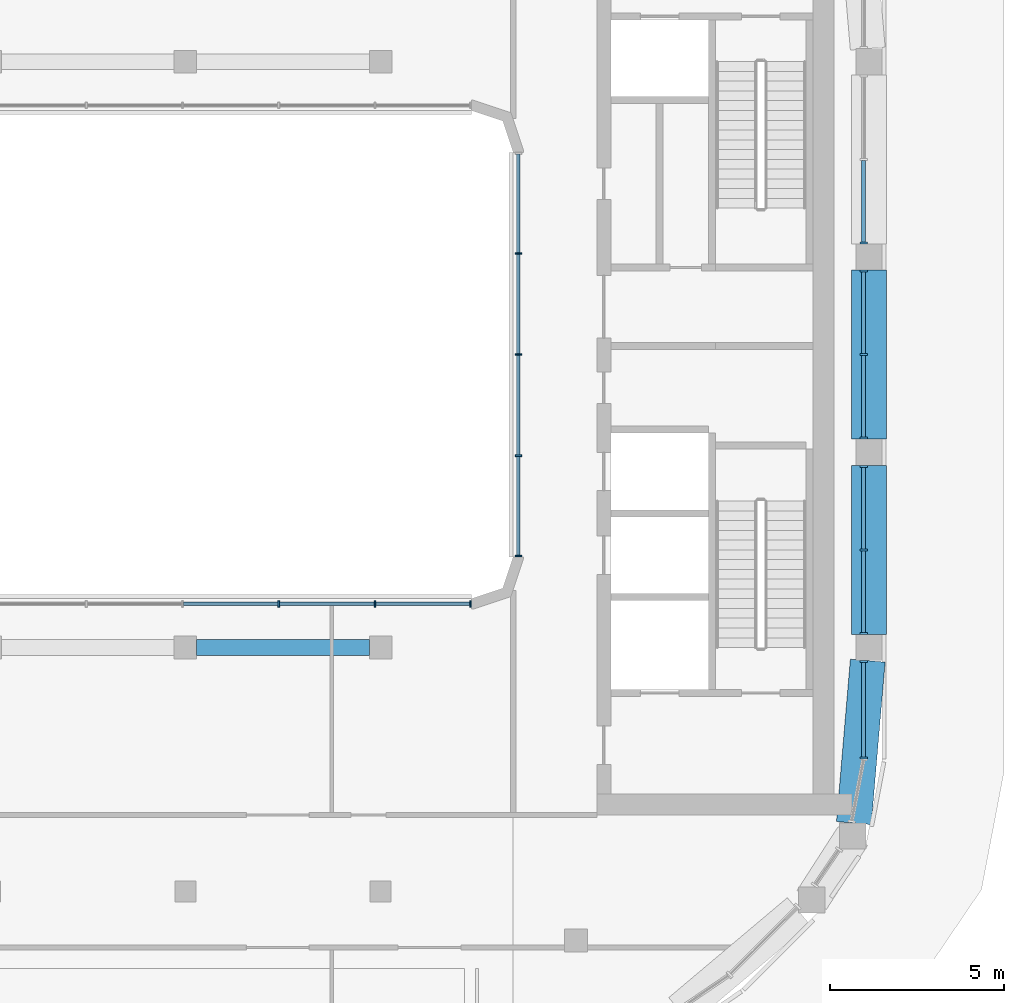
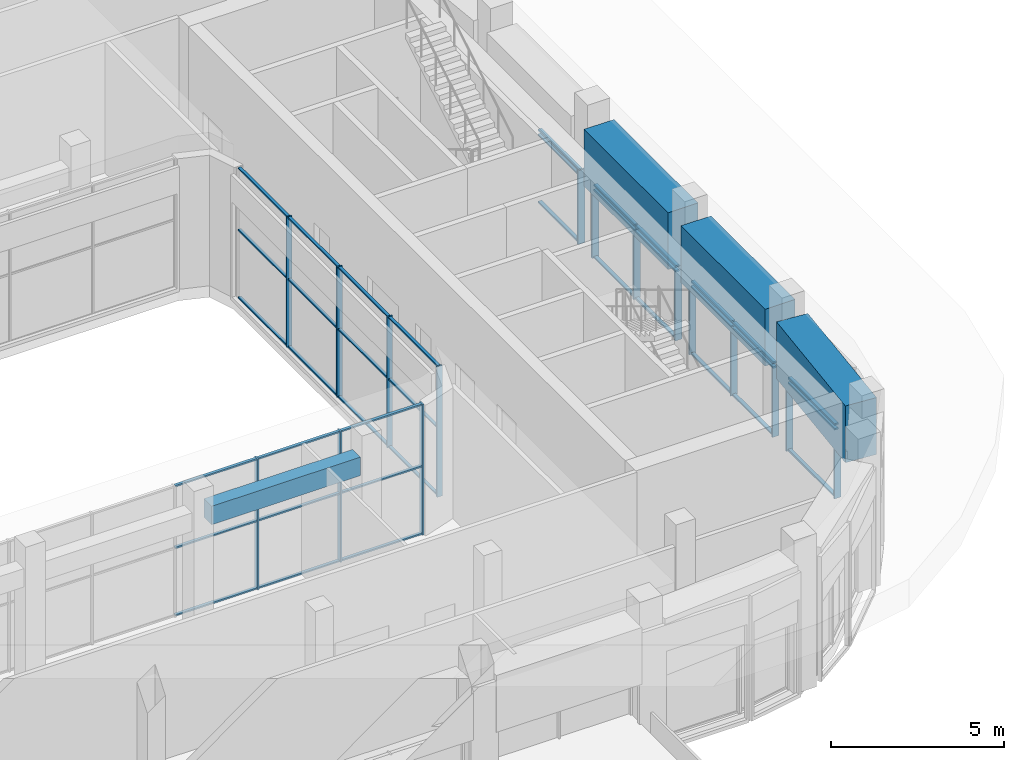
# One storey, part 6 of 23: 55 members, 4 beams, 6 elements without a shape of their own.
"""IFC4 building model written with IfcOpenShell, lengths in metres."""

from ifc_helpers import new_model, si_unit, direction, frame, origin, origin_2d, place, context, subcontext, project, spatial, rectangle, extrude, material, layer, layer_set, material_profile, profile_set, type_object, element, aggregate, save


model = new_model("IFC4")

# Units and contexts
model_context = context("Model", 3, precision=1e-05, world=origin(), true_north=direction((0.0, 1.0)))
body_context = subcontext(model_context, "Body", "Model", "MODEL_VIEW")
ifc_project = project(units=[si_unit("LENGTHUNIT", "METRE"), si_unit("AREAUNIT", "SQUARE_METRE"), si_unit("VOLUMEUNIT", "CUBIC_METRE"), si_unit("PLANEANGLEUNIT", "RADIAN"), si_unit("MASSUNIT", "GRAM", prefix="KILO")], contexts=[model_context])

# Site, building, storey
site_placement = place(None, origin())
site = spatial("IfcSite", under=ifc_project, at=site_placement, CompositionType="ELEMENT")
building_placement = place(site_placement, origin())
building = spatial("IfcBuilding", under=site, at=building_placement, Name="Kiln Ring Residences", CompositionType="ELEMENT")
storey_placement = place(building_placement, frame((0.0, 0.0, 294.5)))
storey = spatial("IfcBuildingStorey", under=building, at=storey_placement, Name="L76", CompositionType="ELEMENT", Elevation=294.5)

# Curtain wall, members
ifc_material_1 = material(Name="Aluminium and glass", Category="aluminium")
ifc_layer_1 = layer(ifc_material_1, 0.179931640625)
ifc_layer_set_1 = layer_set([ifc_layer_1], Name="CW3 CURTAIN WALL")
curtain_wall_type_1 = type_object("IfcCurtainWallType", Name="CW3 CURTAIN WALL", PredefinedType="NOTDEFINED", material=ifc_layer_set_1)
placement = place(storey_placement, origin())
curtain_wall_1 = element("IfcCurtainWall", 1, at=placement, inside=storey, type_object=curtain_wall_type_1, Name="Curtain wall CW3 L76", PredefinedType="NOTDEFINED")
ifc_material_2 = material(Name="Aluminium 6063-T6", Category="aluminium")
ifc_material_profile_1 = material_profile(ifc_material_2, rectangle(XDim=0.179931640625, YDim=0.050048828125, at=origin_2d()), Name="AL 180x50")
ifc_profile_set_1 = profile_set([ifc_material_profile_1], Name="Aluminium 6063-T6")
member_type_1 = type_object("IfcMemberType", Name="CW3 MULLION 180 x 50", PredefinedType="MULLION", material=ifc_profile_set_1)
member_1_placement = place(storey_placement, frame((15.14990234375, 2.89990234375, 0.0), z_axis=(0.0, 0.0, 1.0), x_axis=(1.0, 0.0, 0.0)))
member_1 = element("IfcMember", 2, at=member_1_placement, type_object=member_type_1, Name="CW3 mullion 2", PredefinedType="MULLION", context=body_context, shape_type="SweptSolid", body=[
    extrude(rectangle(XDim=0.179931640625, YDim=0.050048828125, at=origin_2d()), origin(), (0.0, 0.0, 1.0), 4.60009765625),
])
member_2_placement = place(storey_placement, frame((15.14990234375, 0.0, 0.0), z_axis=(0.0, 0.0, 1.0), x_axis=(1.0, 0.0, 0.0)))
member_2 = element("IfcMember", 3, at=member_2_placement, type_object=member_type_1, Name="CW3 mullion 3", PredefinedType="MULLION", context=body_context, shape_type="SweptSolid", body=[
    extrude(rectangle(XDim=0.179931640625, YDim=0.050048828125, at=origin_2d()), origin(), (0.0, 0.0, 1.0), 4.60009765625),
])
member_3_placement = place(storey_placement, frame((15.14990234375, -2.89990234375, 0.0), z_axis=(0.0, 0.0, 1.0), x_axis=(1.0, 0.0, 0.0)))
member_3 = element("IfcMember", 4, at=member_3_placement, type_object=member_type_1, Name="CW3 mullion 4", PredefinedType="MULLION", context=body_context, shape_type="SweptSolid", body=[
    extrude(rectangle(XDim=0.179931640625, YDim=0.050048828125, at=origin_2d()), origin(), (0.0, 0.0, 1.0), 4.60009765625),
])
member_4_placement = place(storey_placement, frame((15.14990234375, -5.77490234375, 0.0), z_axis=(0.0, 0.0, 1.0), x_axis=(1.0, 0.0, 0.0)))
member_4 = element("IfcMember", 5, at=member_4_placement, type_object=member_type_1, Name="CW3 mullion 5", PredefinedType="MULLION", context=body_context, shape_type="SweptSolid", body=[
    extrude(rectangle(XDim=0.179931640625, YDim=0.050048828125, at=origin_2d()), origin(), (0.0, 0.0, 1.0), 4.60009765625),
])

curtain_wall_2 = element("IfcCurtainWall", 6, at=placement, inside=storey, type_object=curtain_wall_type_1, Name="Curtain wall CW3 L76", PredefinedType="NOTDEFINED")
member_5_placement = place(storey_placement, frame((13.77490234375, -7.14990234375, 0.0), z_axis=(0.0, 0.0, 1.0), x_axis=(0.0, -1.0, 0.0)))
member_5 = element("IfcMember", 7, at=member_5_placement, type_object=member_type_1, Name="CW3 mullion 1", PredefinedType="MULLION", context=body_context, shape_type="SweptSolid", body=[
    extrude(rectangle(XDim=0.179931640625, YDim=0.050048828125, at=origin_2d()), origin(), (0.0, 0.0, 1.0), 4.60009765625),
])
member_6_placement = place(storey_placement, frame((11.0400390625, -7.14990234375, 0.0), z_axis=(0.0, 0.0, 1.0), x_axis=(0.0, -1.0, 0.0)))
member_6 = element("IfcMember", 8, at=member_6_placement, type_object=member_type_1, Name="CW3 mullion 2", PredefinedType="MULLION", context=body_context, shape_type="SweptSolid", body=[
    extrude(rectangle(XDim=0.179931640625, YDim=0.050048828125, at=origin_2d()), origin(), (0.0, 0.0, 1.0), 4.60009765625),
])
member_7_placement = place(storey_placement, frame((8.280029296875, -7.14990234375, 0.0), z_axis=(0.0, 0.0, 1.0), x_axis=(0.0, -1.0, 0.0)))
member_7 = element("IfcMember", 9, at=member_7_placement, type_object=member_type_1, Name="CW3 mullion 3", PredefinedType="MULLION", context=body_context, shape_type="SweptSolid", body=[
    extrude(rectangle(XDim=0.179931640625, YDim=0.050048828125, at=origin_2d()), origin(), (0.0, 0.0, 1.0), 4.60009765625),
])

# Member
ifc_material_3 = material(Name="Aluminium 6063-T6", Category="aluminium")
ifc_material_profile_2 = material_profile(ifc_material_3, rectangle(XDim=0.10009765625, YDim=0.050048828125, at=origin_2d()), Name="AL 100x50")
ifc_profile_set_2 = profile_set([ifc_material_profile_2], Name="Aluminium 6063-T6")
member_type_2 = type_object("IfcMemberType", Name="CW3 TRANSOM 100 x 50", PredefinedType="USERDEFINED", material=ifc_profile_set_2)
member_8_placement = place(storey_placement, frame((15.14990234375, 5.75, 0.02490234375), z_axis=(0.0, -1.0, 0.0), x_axis=(1.0, 0.0, 0.0)))
member_8 = element("IfcMember", 10, at=member_8_placement, type_object=member_type_2, Name="CW3 transom 1.1", ObjectType="TRANSOM", PredefinedType="USERDEFINED", context=body_context, shape_type="SweptSolid", body=[
    extrude(rectangle(XDim=0.10009765625, YDim=0.050048828125, at=origin_2d()), origin(), (0.0, 0.0, 1.0), 2.824951171875),
])

member_9_placement = place(storey_placement, frame((15.14990234375, 5.75, 2.39990234375), z_axis=(0.0, -1.0, 0.0), x_axis=(1.0, 0.0, 0.0)))
member_9 = element("IfcMember", 11, at=member_9_placement, type_object=member_type_2, Name="CW3 transom 1.2", ObjectType="TRANSOM", PredefinedType="USERDEFINED", context=body_context, shape_type="SweptSolid", body=[
    extrude(rectangle(XDim=0.10009765625, YDim=0.050048828125, at=origin_2d()), origin(), (0.0, 0.0, 1.0), 2.824951171875),
])

member_10_placement = place(storey_placement, frame((15.14990234375, 5.75, 4.574951171875), z_axis=(0.0, -1.0, 0.0), x_axis=(1.0, 0.0, 0.0)))
member_10 = element("IfcMember", 12, at=member_10_placement, type_object=member_type_2, Name="CW3 transom 1.3", ObjectType="TRANSOM", PredefinedType="USERDEFINED", context=body_context, shape_type="SweptSolid", body=[
    extrude(rectangle(XDim=0.10009765625, YDim=0.050048828125, at=origin_2d()), origin(), (0.0, 0.0, 1.0), 2.824951171875),
])

member_11_placement = place(storey_placement, frame((15.14990234375, 2.875, 0.02490234375), z_axis=(0.0, -1.0, 0.0), x_axis=(1.0, 0.0, 0.0)))
member_11 = element("IfcMember", 13, at=member_11_placement, type_object=member_type_2, Name="CW3 transom 2.1", ObjectType="TRANSOM", PredefinedType="USERDEFINED", context=body_context, shape_type="SweptSolid", body=[
    extrude(rectangle(XDim=0.10009765625, YDim=0.050048828125, at=origin_2d()), origin(), (0.0, 0.0, 1.0), 2.85009765625),
])

member_12_placement = place(storey_placement, frame((15.14990234375, 2.875, 2.39990234375), z_axis=(0.0, -1.0, 0.0), x_axis=(1.0, 0.0, 0.0)))
member_12 = element("IfcMember", 14, at=member_12_placement, type_object=member_type_2, Name="CW3 transom 2.2", ObjectType="TRANSOM", PredefinedType="USERDEFINED", context=body_context, shape_type="SweptSolid", body=[
    extrude(rectangle(XDim=0.10009765625, YDim=0.050048828125, at=origin_2d()), origin(), (0.0, 0.0, 1.0), 2.85009765625),
])

member_13_placement = place(storey_placement, frame((15.14990234375, 2.875, 4.574951171875), z_axis=(0.0, -1.0, 0.0), x_axis=(1.0, 0.0, 0.0)))
member_13 = element("IfcMember", 15, at=member_13_placement, type_object=member_type_2, Name="CW3 transom 2.3", ObjectType="TRANSOM", PredefinedType="USERDEFINED", context=body_context, shape_type="SweptSolid", body=[
    extrude(rectangle(XDim=0.10009765625, YDim=0.050048828125, at=origin_2d()), origin(), (0.0, 0.0, 1.0), 2.85009765625),
])

member_14_placement = place(storey_placement, frame((15.14990234375, -0.02490234375, 0.02490234375), z_axis=(0.0, -1.0, 0.0), x_axis=(1.0, 0.0, 0.0)))
member_14 = element("IfcMember", 16, at=member_14_placement, type_object=member_type_2, Name="CW3 transom 3.1", ObjectType="TRANSOM", PredefinedType="USERDEFINED", context=body_context, shape_type="SweptSolid", body=[
    extrude(rectangle(XDim=0.10009765625, YDim=0.050048828125, at=origin_2d()), origin(), (0.0, 0.0, 1.0), 2.85009765625),
])

member_15_placement = place(storey_placement, frame((15.14990234375, -0.02490234375, 2.39990234375), z_axis=(0.0, -1.0, 0.0), x_axis=(1.0, 0.0, 0.0)))
member_15 = element("IfcMember", 17, at=member_15_placement, type_object=member_type_2, Name="CW3 transom 3.2", ObjectType="TRANSOM", PredefinedType="USERDEFINED", context=body_context, shape_type="SweptSolid", body=[
    extrude(rectangle(XDim=0.10009765625, YDim=0.050048828125, at=origin_2d()), origin(), (0.0, 0.0, 1.0), 2.85009765625),
])

member_16_placement = place(storey_placement, frame((15.14990234375, -0.02490234375, 4.574951171875), z_axis=(0.0, -1.0, 0.0), x_axis=(1.0, 0.0, 0.0)))
member_16 = element("IfcMember", 18, at=member_16_placement, type_object=member_type_2, Name="CW3 transom 3.3", ObjectType="TRANSOM", PredefinedType="USERDEFINED", context=body_context, shape_type="SweptSolid", body=[
    extrude(rectangle(XDim=0.10009765625, YDim=0.050048828125, at=origin_2d()), origin(), (0.0, 0.0, 1.0), 2.85009765625),
])

member_17_placement = place(storey_placement, frame((15.14990234375, -2.925048828125, 0.02490234375), z_axis=(0.0, -1.0, 0.0), x_axis=(1.0, 0.0, 0.0)))
member_17 = element("IfcMember", 19, at=member_17_placement, type_object=member_type_2, Name="CW3 transom 4.1", ObjectType="TRANSOM", PredefinedType="USERDEFINED", context=body_context, shape_type="SweptSolid", body=[
    extrude(rectangle(XDim=0.10009765625, YDim=0.050048828125, at=origin_2d()), origin(), (0.0, 0.0, 1.0), 2.824951171875),
])

member_18_placement = place(storey_placement, frame((15.14990234375, -2.925048828125, 2.39990234375), z_axis=(0.0, -1.0, 0.0), x_axis=(1.0, 0.0, 0.0)))
member_18 = element("IfcMember", 20, at=member_18_placement, type_object=member_type_2, Name="CW3 transom 4.2", ObjectType="TRANSOM", PredefinedType="USERDEFINED", context=body_context, shape_type="SweptSolid", body=[
    extrude(rectangle(XDim=0.10009765625, YDim=0.050048828125, at=origin_2d()), origin(), (0.0, 0.0, 1.0), 2.824951171875),
])

member_19_placement = place(storey_placement, frame((15.14990234375, -2.925048828125, 4.574951171875), z_axis=(0.0, -1.0, 0.0), x_axis=(1.0, 0.0, 0.0)))
member_19 = element("IfcMember", 21, at=member_19_placement, type_object=member_type_2, Name="CW3 transom 4.3", ObjectType="TRANSOM", PredefinedType="USERDEFINED", context=body_context, shape_type="SweptSolid", body=[
    extrude(rectangle(XDim=0.10009765625, YDim=0.050048828125, at=origin_2d()), origin(), (0.0, 0.0, 1.0), 2.824951171875),
])

aggregate(curtain_wall_1, [member_1, member_2, member_3, member_4, member_8, member_9, member_10, member_11, member_12, member_13, member_14, member_15, member_16, member_17, member_18, member_19])

member_20_placement = place(storey_placement, frame((13.75, -7.14990234375, 0.02490234375), z_axis=(-1.0, 0.0, 0.0), x_axis=(0.0, -1.0, 0.0)))
member_20 = element("IfcMember", 22, at=member_20_placement, type_object=member_type_2, Name="CW3 transom 1.1", ObjectType="TRANSOM", PredefinedType="USERDEFINED", context=body_context, shape_type="SweptSolid", body=[
    extrude(rectangle(XDim=0.10009765625, YDim=0.050048828125, at=origin_2d()), origin(), (0.0, 0.0, 1.0), 2.68505859375),
])

member_21_placement = place(storey_placement, frame((13.75, -7.14990234375, 2.39990234375), z_axis=(-1.0, 0.0, 0.0), x_axis=(0.0, -1.0, 0.0)))
member_21 = element("IfcMember", 23, at=member_21_placement, type_object=member_type_2, Name="CW3 transom 1.2", ObjectType="TRANSOM", PredefinedType="USERDEFINED", context=body_context, shape_type="SweptSolid", body=[
    extrude(rectangle(XDim=0.10009765625, YDim=0.050048828125, at=origin_2d()), origin(), (0.0, 0.0, 1.0), 2.68505859375),
])

member_22_placement = place(storey_placement, frame((13.75, -7.14990234375, 4.574951171875), z_axis=(-1.0, 0.0, 0.0), x_axis=(0.0, -1.0, 0.0)))
member_22 = element("IfcMember", 24, at=member_22_placement, type_object=member_type_2, Name="CW3 transom 1.3", ObjectType="TRANSOM", PredefinedType="USERDEFINED", context=body_context, shape_type="SweptSolid", body=[
    extrude(rectangle(XDim=0.10009765625, YDim=0.050048828125, at=origin_2d()), origin(), (0.0, 0.0, 1.0), 2.68505859375),
])

member_23_placement = place(storey_placement, frame((11.014892578125, -7.14990234375, 0.02490234375), z_axis=(-1.0, 0.0, 0.0), x_axis=(0.0, -1.0, 0.0)))
member_23 = element("IfcMember", 25, at=member_23_placement, type_object=member_type_2, Name="CW3 transom 2.1", ObjectType="TRANSOM", PredefinedType="USERDEFINED", context=body_context, shape_type="SweptSolid", body=[
    extrude(rectangle(XDim=0.10009765625, YDim=0.050048828125, at=origin_2d()), origin(), (0.0, 0.0, 1.0), 2.7099609375),
])

member_24_placement = place(storey_placement, frame((11.014892578125, -7.14990234375, 2.39990234375), z_axis=(-1.0, 0.0, 0.0), x_axis=(0.0, -1.0, 0.0)))
member_24 = element("IfcMember", 26, at=member_24_placement, type_object=member_type_2, Name="CW3 transom 2.2", ObjectType="TRANSOM", PredefinedType="USERDEFINED", context=body_context, shape_type="SweptSolid", body=[
    extrude(rectangle(XDim=0.10009765625, YDim=0.050048828125, at=origin_2d()), origin(), (0.0, 0.0, 1.0), 2.7099609375),
])

member_25_placement = place(storey_placement, frame((11.014892578125, -7.14990234375, 4.574951171875), z_axis=(-1.0, 0.0, 0.0), x_axis=(0.0, -1.0, 0.0)))
member_25 = element("IfcMember", 27, at=member_25_placement, type_object=member_type_2, Name="CW3 transom 2.3", ObjectType="TRANSOM", PredefinedType="USERDEFINED", context=body_context, shape_type="SweptSolid", body=[
    extrude(rectangle(XDim=0.10009765625, YDim=0.050048828125, at=origin_2d()), origin(), (0.0, 0.0, 1.0), 2.7099609375),
])

member_26_placement = place(storey_placement, frame((8.2548828125, -7.14990234375, 0.02490234375), z_axis=(-1.0, 0.0, 0.0), x_axis=(0.0, -1.0, 0.0)))
member_26 = element("IfcMember", 28, at=member_26_placement, type_object=member_type_2, Name="CW3 transom 3.1", ObjectType="TRANSOM", PredefinedType="USERDEFINED", context=body_context, shape_type="SweptSolid", body=[
    extrude(rectangle(XDim=0.10009765625, YDim=0.050048828125, at=origin_2d()), origin(), (0.0, 0.0, 1.0), 2.7099609375),
])

member_27_placement = place(storey_placement, frame((8.2548828125, -7.14990234375, 2.39990234375), z_axis=(-1.0, 0.0, 0.0), x_axis=(0.0, -1.0, 0.0)))
member_27 = element("IfcMember", 29, at=member_27_placement, type_object=member_type_2, Name="CW3 transom 3.2", ObjectType="TRANSOM", PredefinedType="USERDEFINED", context=body_context, shape_type="SweptSolid", body=[
    extrude(rectangle(XDim=0.10009765625, YDim=0.050048828125, at=origin_2d()), origin(), (0.0, 0.0, 1.0), 2.7099609375),
])

member_28_placement = place(storey_placement, frame((8.2548828125, -7.14990234375, 4.574951171875), z_axis=(-1.0, 0.0, 0.0), x_axis=(0.0, -1.0, 0.0)))
member_28 = element("IfcMember", 30, at=member_28_placement, type_object=member_type_2, Name="CW3 transom 3.3", ObjectType="TRANSOM", PredefinedType="USERDEFINED", context=body_context, shape_type="SweptSolid", body=[
    extrude(rectangle(XDim=0.10009765625, YDim=0.050048828125, at=origin_2d()), origin(), (0.0, 0.0, 1.0), 2.7099609375),
])

aggregate(curtain_wall_2, [member_5, member_6, member_7, member_20, member_21, member_22, member_23, member_24, member_25, member_26, member_27, member_28])

# Curtain wall, members
ifc_material_4 = material(Name="Aluminium and glass", Category="aluminium")
ifc_layer_2 = layer(ifc_material_4, 0.219970703125)
ifc_layer_set_2 = layer_set([ifc_layer_2], Name="CW5 CURTAIN WALL")
curtain_wall_type_2 = type_object("IfcCurtainWallType", Name="CW5 CURTAIN WALL", PredefinedType="NOTDEFINED", material=ifc_layer_set_2)
curtain_wall_3 = element("IfcCurtainWall", 31, at=placement, inside=storey, type_object=curtain_wall_type_2, Name="Curtain wall CW5 L76", PredefinedType="NOTDEFINED")
ifc_material_5 = material(Name="Aluminium 6063-T6", Category="aluminium")
ifc_material_profile_3 = material_profile(ifc_material_5, rectangle(XDim=0.219970703125, YDim=0.06005859375, at=origin_2d()), Name="AL 220x60")
ifc_profile_set_3 = profile_set([ifc_material_profile_3], Name="Aluminium 6063-T6")
member_type_3 = type_object("IfcMemberType", Name="CW5 MULLION 220 x 60", PredefinedType="MULLION", material=ifc_profile_set_3)
member_29_placement = place(storey_placement, frame((25.050048828125, -11.570068359375, 0.0), z_axis=(0.0, 0.0, 1.0), x_axis=(-1.0, 0.0, 0.0)))
member_29 = element("IfcMember", 32, at=member_29_placement, type_object=member_type_3, Name="CW5 mullion 1", PredefinedType="MULLION", context=body_context, shape_type="SweptSolid", body=[
    extrude(rectangle(XDim=0.219970703125, YDim=0.06005859375, at=origin_2d()), origin(), (0.0, 0.0, 1.0), 2.60009765625),
])
member_30_placement = place(storey_placement, frame((25.050048828125, -8.804931640625, 0.0), z_axis=(0.0, 0.0, 1.0), x_axis=(-1.0, 0.0, 0.0)))
member_30 = element("IfcMember", 33, at=member_30_placement, type_object=member_type_3, Name="CW5 mullion 2", PredefinedType="MULLION", context=body_context, shape_type="SweptSolid", body=[
    extrude(rectangle(XDim=0.219970703125, YDim=0.06005859375, at=origin_2d()), origin(), (0.0, 0.0, 1.0), 2.60009765625),
])

curtain_wall_4 = element("IfcCurtainWall", 34, at=placement, inside=storey, type_object=curtain_wall_type_2, Name="Curtain wall CW5 L76", PredefinedType="NOTDEFINED")
member_31_placement = place(storey_placement, frame((25.050048828125, -7.9951171875, 0.0), z_axis=(0.0, 0.0, 1.0), x_axis=(-1.0, 0.0, 0.0)))
member_31 = element("IfcMember", 35, at=member_31_placement, type_object=member_type_3, Name="CW5 mullion 1", PredefinedType="MULLION", context=body_context, shape_type="SweptSolid", body=[
    extrude(rectangle(XDim=0.219970703125, YDim=0.06005859375, at=origin_2d()), origin(), (0.0, 0.0, 1.0), 2.60009765625),
])
member_32_placement = place(storey_placement, frame((25.050048828125, -5.60009765625, 0.0), z_axis=(0.0, 0.0, 1.0), x_axis=(-1.0, 0.0, 0.0)))
member_32 = element("IfcMember", 36, at=member_32_placement, type_object=member_type_3, Name="CW5 mullion 2", PredefinedType="MULLION", context=body_context, shape_type="SweptSolid", body=[
    extrude(rectangle(XDim=0.219970703125, YDim=0.06005859375, at=origin_2d()), origin(), (0.0, 0.0, 1.0), 2.60009765625),
])
member_33_placement = place(storey_placement, frame((25.050048828125, -3.205078125, 0.0), z_axis=(0.0, 0.0, 1.0), x_axis=(-1.0, 0.0, 0.0)))
member_33 = element("IfcMember", 37, at=member_33_placement, type_object=member_type_3, Name="CW5 mullion 3", PredefinedType="MULLION", context=body_context, shape_type="SweptSolid", body=[
    extrude(rectangle(XDim=0.219970703125, YDim=0.06005859375, at=origin_2d()), origin(), (0.0, 0.0, 1.0), 2.60009765625),
])

curtain_wall_5 = element("IfcCurtainWall", 38, at=placement, inside=storey, type_object=curtain_wall_type_2, Name="Curtain wall CW5 L76", PredefinedType="NOTDEFINED")
member_34_placement = place(storey_placement, frame((25.050048828125, -2.39501953125, 0.0), z_axis=(0.0, 0.0, 1.0), x_axis=(-1.0, 0.0, 0.0)))
member_34 = element("IfcMember", 39, at=member_34_placement, type_object=member_type_3, Name="CW5 mullion 1", PredefinedType="MULLION", context=body_context, shape_type="SweptSolid", body=[
    extrude(rectangle(XDim=0.219970703125, YDim=0.06005859375, at=origin_2d()), origin(), (0.0, 0.0, 1.0), 2.60009765625),
])
member_35_placement = place(storey_placement, frame((25.050048828125, 0.0, 0.0), z_axis=(0.0, 0.0, 1.0), x_axis=(-1.0, 0.0, 0.0)))
member_35 = element("IfcMember", 40, at=member_35_placement, type_object=member_type_3, Name="CW5 mullion 2", PredefinedType="MULLION", context=body_context, shape_type="SweptSolid", body=[
    extrude(rectangle(XDim=0.219970703125, YDim=0.06005859375, at=origin_2d()), origin(), (0.0, 0.0, 1.0), 2.60009765625),
])
member_36_placement = place(storey_placement, frame((25.050048828125, 2.39501953125, 0.0), z_axis=(0.0, 0.0, 1.0), x_axis=(-1.0, 0.0, 0.0)))
member_36 = element("IfcMember", 41, at=member_36_placement, type_object=member_type_3, Name="CW5 mullion 3", PredefinedType="MULLION", context=body_context, shape_type="SweptSolid", body=[
    extrude(rectangle(XDim=0.219970703125, YDim=0.06005859375, at=origin_2d()), origin(), (0.0, 0.0, 1.0), 2.60009765625),
])

# Curtain wall, member
curtain_wall_6 = element("IfcCurtainWall", 42, at=placement, inside=storey, type_object=curtain_wall_type_2, Name="Curtain wall CW5 L76", PredefinedType="NOTDEFINED")
member_37_placement = place(storey_placement, frame((25.050048828125, 3.205078125, 0.0), z_axis=(0.0, 0.0, 1.0), x_axis=(-1.0, 0.0, 0.0)))
member_37 = element("IfcMember", 43, at=member_37_placement, type_object=member_type_3, Name="CW5 mullion 1", PredefinedType="MULLION", context=body_context, shape_type="SweptSolid", body=[
    extrude(rectangle(XDim=0.219970703125, YDim=0.06005859375, at=origin_2d()), origin(), (0.0, 0.0, 1.0), 2.60009765625),
])

# Member
ifc_material_6 = material(Name="Aluminium 6063-T6", Category="aluminium")
ifc_material_profile_4 = material_profile(ifc_material_6, rectangle(XDim=0.1201171875, YDim=0.06005859375, at=origin_2d()), Name="AL 120x60")
ifc_profile_set_4 = profile_set([ifc_material_profile_4], Name="Aluminium 6063-T6")
member_type_4 = type_object("IfcMemberType", Name="CW5 TRANSOM 120 x 60", PredefinedType="USERDEFINED", material=ifc_profile_set_4)
member_38_placement = place(storey_placement, frame((25.050048828125, -11.5400390625, 0.030029296875), z_axis=(0.0, 1.0, 0.0), x_axis=(-1.0, 0.0, 0.0)))
member_38 = element("IfcMember", 44, at=member_38_placement, type_object=member_type_4, Name="CW5 transom 1.1", ObjectType="TRANSOM", PredefinedType="USERDEFINED", context=body_context, shape_type="SweptSolid", body=[
    extrude(rectangle(XDim=0.1201171875, YDim=0.06005859375, at=origin_2d()), origin(), (0.0, 0.0, 1.0), 2.705078125),
])

member_39_placement = place(storey_placement, frame((25.050048828125, -11.5400390625, 2.39990234375), z_axis=(0.0, 1.0, 0.0), x_axis=(-1.0, 0.0, 0.0)))
member_39 = element("IfcMember", 45, at=member_39_placement, type_object=member_type_4, Name="CW5 transom 1.2", ObjectType="TRANSOM", PredefinedType="USERDEFINED", context=body_context, shape_type="SweptSolid", body=[
    extrude(rectangle(XDim=0.1201171875, YDim=0.06005859375, at=origin_2d()), origin(), (0.0, 0.0, 1.0), 2.705078125),
])

member_40_placement = place(storey_placement, frame((25.050048828125, -11.5400390625, 2.570068359375), z_axis=(0.0, 1.0, 0.0), x_axis=(-1.0, 0.0, 0.0)))
member_40 = element("IfcMember", 46, at=member_40_placement, type_object=member_type_4, Name="CW5 transom 1.3", ObjectType="TRANSOM", PredefinedType="USERDEFINED", context=body_context, shape_type="SweptSolid", body=[
    extrude(rectangle(XDim=0.1201171875, YDim=0.06005859375, at=origin_2d()), origin(), (0.0, 0.0, 1.0), 2.705078125),
])

aggregate(curtain_wall_3, [member_29, member_30, member_38, member_39, member_40])

member_41_placement = place(storey_placement, frame((25.050048828125, -7.965087890625, 0.030029296875), z_axis=(0.0, 1.0, 0.0), x_axis=(-1.0, 0.0, 0.0)))
member_41 = element("IfcMember", 47, at=member_41_placement, type_object=member_type_4, Name="CW5 transom 1.1", ObjectType="TRANSOM", PredefinedType="USERDEFINED", context=body_context, shape_type="SweptSolid", body=[
    extrude(rectangle(XDim=0.1201171875, YDim=0.06005859375, at=origin_2d()), origin(), (0.0, 0.0, 1.0), 2.335205078125),
])

member_42_placement = place(storey_placement, frame((25.050048828125, -7.965087890625, 2.39990234375), z_axis=(0.0, 1.0, 0.0), x_axis=(-1.0, 0.0, 0.0)))
member_42 = element("IfcMember", 48, at=member_42_placement, type_object=member_type_4, Name="CW5 transom 1.2", ObjectType="TRANSOM", PredefinedType="USERDEFINED", context=body_context, shape_type="SweptSolid", body=[
    extrude(rectangle(XDim=0.1201171875, YDim=0.06005859375, at=origin_2d()), origin(), (0.0, 0.0, 1.0), 2.335205078125),
])

member_43_placement = place(storey_placement, frame((25.050048828125, -7.965087890625, 2.570068359375), z_axis=(0.0, 1.0, 0.0), x_axis=(-1.0, 0.0, 0.0)))
member_43 = element("IfcMember", 49, at=member_43_placement, type_object=member_type_4, Name="CW5 transom 1.3", ObjectType="TRANSOM", PredefinedType="USERDEFINED", context=body_context, shape_type="SweptSolid", body=[
    extrude(rectangle(XDim=0.1201171875, YDim=0.06005859375, at=origin_2d()), origin(), (0.0, 0.0, 1.0), 2.335205078125),
])

member_44_placement = place(storey_placement, frame((25.050048828125, -5.570068359375, 0.030029296875), z_axis=(0.0, 1.0, 0.0), x_axis=(-1.0, 0.0, 0.0)))
member_44 = element("IfcMember", 50, at=member_44_placement, type_object=member_type_4, Name="CW5 transom 2.1", ObjectType="TRANSOM", PredefinedType="USERDEFINED", context=body_context, shape_type="SweptSolid", body=[
    extrude(rectangle(XDim=0.1201171875, YDim=0.06005859375, at=origin_2d()), origin(), (0.0, 0.0, 1.0), 2.3349609375),
])

member_45_placement = place(storey_placement, frame((25.050048828125, -5.570068359375, 2.39990234375), z_axis=(0.0, 1.0, 0.0), x_axis=(-1.0, 0.0, 0.0)))
member_45 = element("IfcMember", 51, at=member_45_placement, type_object=member_type_4, Name="CW5 transom 2.2", ObjectType="TRANSOM", PredefinedType="USERDEFINED", context=body_context, shape_type="SweptSolid", body=[
    extrude(rectangle(XDim=0.1201171875, YDim=0.06005859375, at=origin_2d()), origin(), (0.0, 0.0, 1.0), 2.3349609375),
])

member_46_placement = place(storey_placement, frame((25.050048828125, -5.570068359375, 2.570068359375), z_axis=(0.0, 1.0, 0.0), x_axis=(-1.0, 0.0, 0.0)))
member_46 = element("IfcMember", 52, at=member_46_placement, type_object=member_type_4, Name="CW5 transom 2.3", ObjectType="TRANSOM", PredefinedType="USERDEFINED", context=body_context, shape_type="SweptSolid", body=[
    extrude(rectangle(XDim=0.1201171875, YDim=0.06005859375, at=origin_2d()), origin(), (0.0, 0.0, 1.0), 2.3349609375),
])

aggregate(curtain_wall_4, [member_31, member_32, member_33, member_41, member_42, member_43, member_44, member_45, member_46])

member_47_placement = place(storey_placement, frame((25.050048828125, -2.364990234375, 0.030029296875), z_axis=(0.0, 1.0, 0.0), x_axis=(-1.0, 0.0, 0.0)))
member_47 = element("IfcMember", 53, at=member_47_placement, type_object=member_type_4, Name="CW5 transom 1.1", ObjectType="TRANSOM", PredefinedType="USERDEFINED", context=body_context, shape_type="SweptSolid", body=[
    extrude(rectangle(XDim=0.1201171875, YDim=0.06005859375, at=origin_2d()), origin(), (0.0, 0.0, 1.0), 2.3349609375),
])

member_48_placement = place(storey_placement, frame((25.050048828125, -2.364990234375, 2.39990234375), z_axis=(0.0, 1.0, 0.0), x_axis=(-1.0, 0.0, 0.0)))
member_48 = element("IfcMember", 54, at=member_48_placement, type_object=member_type_4, Name="CW5 transom 1.2", ObjectType="TRANSOM", PredefinedType="USERDEFINED", context=body_context, shape_type="SweptSolid", body=[
    extrude(rectangle(XDim=0.1201171875, YDim=0.06005859375, at=origin_2d()), origin(), (0.0, 0.0, 1.0), 2.3349609375),
])

member_49_placement = place(storey_placement, frame((25.050048828125, -2.364990234375, 2.570068359375), z_axis=(0.0, 1.0, 0.0), x_axis=(-1.0, 0.0, 0.0)))
member_49 = element("IfcMember", 55, at=member_49_placement, type_object=member_type_4, Name="CW5 transom 1.3", ObjectType="TRANSOM", PredefinedType="USERDEFINED", context=body_context, shape_type="SweptSolid", body=[
    extrude(rectangle(XDim=0.1201171875, YDim=0.06005859375, at=origin_2d()), origin(), (0.0, 0.0, 1.0), 2.3349609375),
])

member_50_placement = place(storey_placement, frame((25.050048828125, 0.030029296875, 0.030029296875), z_axis=(0.0, 1.0, 0.0), x_axis=(-1.0, 0.0, 0.0)))
member_50 = element("IfcMember", 56, at=member_50_placement, type_object=member_type_4, Name="CW5 transom 2.1", ObjectType="TRANSOM", PredefinedType="USERDEFINED", context=body_context, shape_type="SweptSolid", body=[
    extrude(rectangle(XDim=0.1201171875, YDim=0.06005859375, at=origin_2d()), origin(), (0.0, 0.0, 1.0), 2.3349609375),
])

member_51_placement = place(storey_placement, frame((25.050048828125, 0.030029296875, 2.39990234375), z_axis=(0.0, 1.0, 0.0), x_axis=(-1.0, 0.0, 0.0)))
member_51 = element("IfcMember", 57, at=member_51_placement, type_object=member_type_4, Name="CW5 transom 2.2", ObjectType="TRANSOM", PredefinedType="USERDEFINED", context=body_context, shape_type="SweptSolid", body=[
    extrude(rectangle(XDim=0.1201171875, YDim=0.06005859375, at=origin_2d()), origin(), (0.0, 0.0, 1.0), 2.3349609375),
])

member_52_placement = place(storey_placement, frame((25.050048828125, 0.030029296875, 2.570068359375), z_axis=(0.0, 1.0, 0.0), x_axis=(-1.0, 0.0, 0.0)))
member_52 = element("IfcMember", 58, at=member_52_placement, type_object=member_type_4, Name="CW5 transom 2.3", ObjectType="TRANSOM", PredefinedType="USERDEFINED", context=body_context, shape_type="SweptSolid", body=[
    extrude(rectangle(XDim=0.1201171875, YDim=0.06005859375, at=origin_2d()), origin(), (0.0, 0.0, 1.0), 2.3349609375),
])

aggregate(curtain_wall_5, [member_34, member_35, member_36, member_47, member_48, member_49, member_50, member_51, member_52])

member_53_placement = place(storey_placement, frame((25.050048828125, 3.235107421875, 0.030029296875), z_axis=(0.0, 1.0, 0.0), x_axis=(-1.0, 0.0, 0.0)))
member_53 = element("IfcMember", 59, at=member_53_placement, type_object=member_type_4, Name="CW5 transom 1.1", ObjectType="TRANSOM", PredefinedType="USERDEFINED", context=body_context, shape_type="SweptSolid", body=[
    extrude(rectangle(XDim=0.1201171875, YDim=0.06005859375, at=origin_2d()), origin(), (0.0, 0.0, 1.0), 2.3349609375),
])

member_54_placement = place(storey_placement, frame((25.050048828125, 3.235107421875, 2.39990234375), z_axis=(0.0, 1.0, 0.0), x_axis=(-1.0, 0.0, 0.0)))
member_54 = element("IfcMember", 60, at=member_54_placement, type_object=member_type_4, Name="CW5 transom 1.2", ObjectType="TRANSOM", PredefinedType="USERDEFINED", context=body_context, shape_type="SweptSolid", body=[
    extrude(rectangle(XDim=0.1201171875, YDim=0.06005859375, at=origin_2d()), origin(), (0.0, 0.0, 1.0), 2.3349609375),
])

member_55_placement = place(storey_placement, frame((25.050048828125, 3.235107421875, 2.570068359375), z_axis=(0.0, 1.0, 0.0), x_axis=(-1.0, 0.0, 0.0)))
member_55 = element("IfcMember", 61, at=member_55_placement, type_object=member_type_4, Name="CW5 transom 1.3", ObjectType="TRANSOM", PredefinedType="USERDEFINED", context=body_context, shape_type="SweptSolid", body=[
    extrude(rectangle(XDim=0.1201171875, YDim=0.06005859375, at=origin_2d()), origin(), (0.0, 0.0, 1.0), 2.3349609375),
])

aggregate(curtain_wall_6, [member_37, member_53, member_54, member_55])

# Beams
ifc_material_7 = material(Name="Concrete C50/60", Category="concrete")
ifc_material_profile_5 = material_profile(ifc_material_7, rectangle(XDim=0.449951171875, YDim=0.64990234375, at=origin_2d()), Name="RC450x650")
ifc_profile_set_5 = profile_set([ifc_material_profile_5], Name="Concrete C50/60")
beam_type_1 = type_object("IfcBeamType", Name="Ring beam RC450x650 C50/60", PredefinedType="BEAM", material=ifc_profile_set_5)
beam_1_placement = place(storey_placement, frame((5.925048828125, -8.39990234375, 4.27490234375), z_axis=(1.0, 0.0, 0.0), x_axis=(0.0, 1.0, 0.0)))
element("IfcBeam", 62, at=beam_1_placement, inside=storey, type_object=beam_type_1, Name="Ring beam L76 4", PredefinedType="BEAM", context=body_context, shape_type="SweptSolid", body=[
    extrude(rectangle(XDim=0.449951171875, YDim=0.64990234375, at=origin_2d()), origin(), (0.0, 0.0, 1.0), 4.949951171875),
])
ifc_material_8 = material(Name="Concrete C70/85", Category="concrete")
ifc_material_profile_6 = material_profile(ifc_material_8, rectangle(XDim=1.0, YDim=2.0, at=origin_2d()), Name="RC1000x2000")
ifc_profile_set_6 = profile_set([ifc_material_profile_6], Name="Concrete C70/85")
beam_type_2 = type_object("IfcBeamType", Name="Transfer girder RC1000x2000 C70/85", PredefinedType="BEAM", material=ifc_profile_set_6)
beam_2_placement = place(storey_placement, frame((24.77001953125, -13.43359375, 3.60009765625), z_axis=(0.085110864913, 0.996371487285, 0.0), x_axis=(-0.996371487285, 0.085110864913, 0.0)))
element("IfcBeam", 63, at=beam_2_placement, inside=storey, type_object=beam_type_2, Name="Transfer girder L76 10", PredefinedType="BEAM", context=body_context, shape_type="SweptSolid", body=[
    extrude(rectangle(XDim=1.0, YDim=2.0, at=origin_2d()), origin(), (0.0, 0.0, 1.0), 4.675537109375),
])
beam_3_placement = place(storey_placement, frame((25.199951171875, -8.02490234375, 3.60009765625), z_axis=(0.0, 1.0, 0.0), x_axis=(-1.0, 0.0, 0.0)))
element("IfcBeam", 64, at=beam_3_placement, inside=storey, type_object=beam_type_2, Name="Transfer girder L76 11", PredefinedType="BEAM", context=body_context, shape_type="SweptSolid", body=[
    extrude(rectangle(XDim=1.0, YDim=2.0, at=origin_2d()), origin(), (0.0, 0.0, 1.0), 4.849853515625),
])
beam_4_placement = place(storey_placement, frame((25.199951171875, -2.425048828125, 3.60009765625), z_axis=(0.0, 1.0, 0.0), x_axis=(-1.0, 0.0, 0.0)))
element("IfcBeam", 65, at=beam_4_placement, inside=storey, type_object=beam_type_2, Name="Transfer girder L76 12", PredefinedType="BEAM", context=body_context, shape_type="SweptSolid", body=[
    extrude(rectangle(XDim=1.0, YDim=2.0, at=origin_2d()), origin(), (0.0, 0.0, 1.0), 4.85009765625),
])

save(model, "model.ifc")
